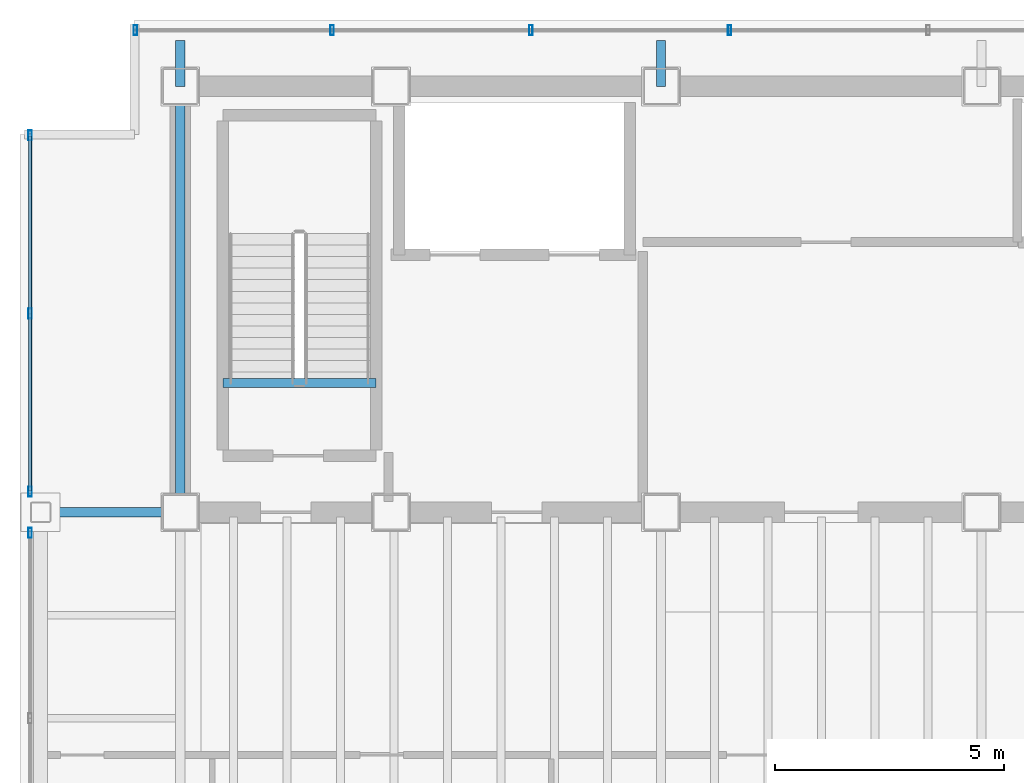
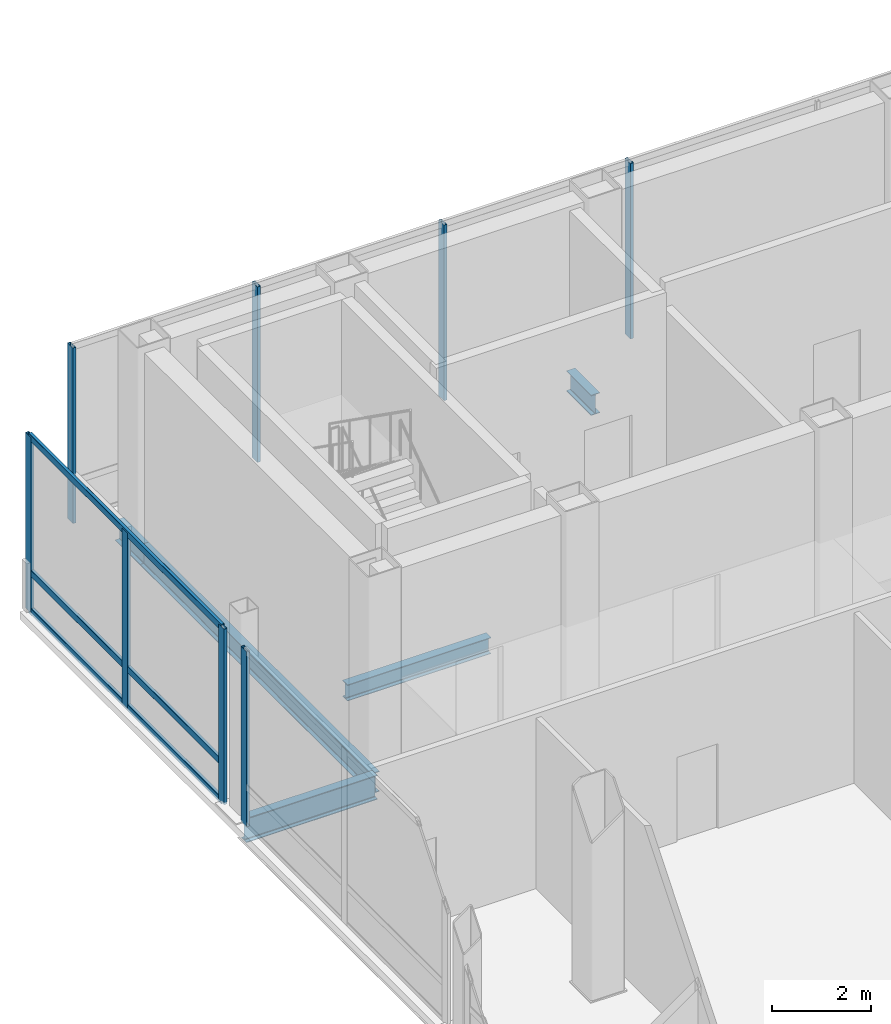
# One storey, part 6 of 15: 11 members, 5 beams, 3 elements without a shape of their own.
"""IFC4 building model written with IfcOpenShell, lengths in metres."""

from ifc_helpers import new_model, si_unit, direction, frame, origin, origin_2d, place, context, subcontext, project, spatial, hollow_rectangle, i_section, extrude, material, material_profile, profile_set, type_object, element, aggregate, save


model = new_model("IFC4")

# Units and contexts
model_context = context("Model", 3, precision=1e-05, world=origin(), true_north=direction((0.0, 1.0)))
body_context = subcontext(model_context, "Body", "Model", "MODEL_VIEW")
ifc_project = project(units=[si_unit("LENGTHUNIT", "METRE"), si_unit("AREAUNIT", "SQUARE_METRE"), si_unit("VOLUMEUNIT", "CUBIC_METRE"), si_unit("PLANEANGLEUNIT", "RADIAN"), si_unit("MASSUNIT", "GRAM", prefix="KILO")], contexts=[model_context])

# Site, building, storey
site_placement = place(None, origin())
site = spatial("IfcSite", under=ifc_project, at=site_placement, CompositionType="ELEMENT")
building_placement = place(site_placement, origin())
building = spatial("IfcBuilding", under=site, at=building_placement, Name="Noeulbin Bourse Tower", CompositionType="ELEMENT")
storey_placement = place(building_placement, frame((0.0, 0.0, 206.10009765625)))
storey = spatial("IfcBuildingStorey", under=building, at=storey_placement, Name="L51", CompositionType="ELEMENT", Elevation=206.10009765625)

# Beams
ifc_material_1 = material(Name="Steel S355", Category="steel")
ifc_material_profile_1 = material_profile(ifc_material_1, i_section(OverallWidth=0.199951171875, OverallDepth=0.5, WebThickness=0.010009765625, FlangeThickness=0.01611328125, FilletRadius=0.02001953125, at=origin_2d()), Name="H-500x200x10x16", Category="LoadBearing")
ifc_profile_set_1 = profile_set([ifc_material_profile_1], Name="Steel S355")
beam_type_1 = type_object("IfcBeamType", Name="BM-GRD-500", PredefinedType="USERDEFINED", material=ifc_profile_set_1)
beam_1_placement = place(storey_placement, frame((13.5, 29.0, -0.43017578125), z_axis=(0.0, 1.0, 0.0), x_axis=(-1.0, 0.0, 0.0)))
element("IfcBeam", 1, at=beam_1_placement, inside=storey, type_object=beam_type_1, Name="Tower Primary Girder NS L51-1.3", ObjectType="GIRDER", PredefinedType="USERDEFINED", context=body_context, shape_type="SweptSolid", body=[
    extrude(i_section(OverallWidth=0.199951171875, OverallDepth=0.5, WebThickness=0.010009765625, FlangeThickness=0.01611328125, FilletRadius=0.02001953125, at=origin_2d()), origin(), (0.0, 0.0, 1.0), 9.300048828125),
])
for number, where, z_axis, x_axis, name in (
    (2, (13.5, 38.300048828125, -0.43017578125), (0.0, 1.0, 0.0), (-1.0, 0.0, 0.0), "Tower Primary Girder NS L51-1.4"),
    (3, (24.0, 38.300048828125, -0.43017578125), (0.0, 1.0, 0.0), (-1.0, 0.0, 0.0), "Tower Primary Girder NS L51-2.4"),
):
    element("IfcBeam", number, at=place(storey_placement, frame(where, z_axis=z_axis, x_axis=x_axis)), inside=storey, type_object=beam_type_1, Name=name, ObjectType="GIRDER", PredefinedType="USERDEFINED", context=body_context, shape_type="SweptSolid", body=[
        extrude(i_section(OverallWidth=0.199951171875, OverallDepth=0.5, WebThickness=0.010009765625, FlangeThickness=0.01611328125, FilletRadius=0.02001953125, at=origin_2d()), origin(), (0.0, 0.0, 1.0), 1.0),
    ])
ifc_material_profile_2 = material_profile(ifc_material_1, i_section(OverallWidth=0.199951171875, OverallDepth=0.60009765625, WebThickness=0.010986328125, FlangeThickness=0.01708984375, FilletRadius=0.02197265625, at=origin_2d()), Name="H-600x200x11x17", Category="LoadBearing")
ifc_profile_set_2 = profile_set([ifc_material_profile_2], Name="Steel S355")
beam_type_2 = type_object("IfcBeamType", Name="BM-GRD-600", PredefinedType="USERDEFINED", material=ifc_profile_set_2)
beam_2_placement = place(storey_placement, frame((10.449951171875, 29.0, -0.47998046875), z_axis=(1.0, 0.0, 0.0), x_axis=(0.0, 1.0, 0.0)))
element("IfcBeam", 4, at=beam_2_placement, inside=storey, type_object=beam_type_2, Name="Tower Primary Girder EW L51-2.1", ObjectType="GIRDER", PredefinedType="USERDEFINED", context=body_context, shape_type="SweptSolid", body=[
    extrude(i_section(OverallWidth=0.199951171875, OverallDepth=0.60009765625, WebThickness=0.010986328125, FlangeThickness=0.01708984375, FilletRadius=0.02197265625, at=origin_2d()), origin(), (0.0, 0.0, 1.0), 3.050048828125),
])
ifc_material_profile_3 = material_profile(ifc_material_1, i_section(OverallWidth=0.199951171875, OverallDepth=0.39990234375, WebThickness=0.008056640625, FlangeThickness=0.012939453125, FilletRadius=0.01611328125, at=origin_2d()), Name="H-400x200x8x13", Category="LoadBearing")
ifc_profile_set_3 = profile_set([ifc_material_profile_3], Name="Steel S355")
beam_type_3 = type_object("IfcBeamType", Name="BM-SEC-400", PredefinedType="BEAM", material=ifc_profile_set_3)
beam_3_placement = place(storey_placement, frame((14.429931640625, 31.820068359375, -0.2001953125), z_axis=(1.0, 0.0, 0.0), x_axis=(0.0, 1.0, 0.0)))
element("IfcBeam", 5, at=beam_3_placement, inside=storey, type_object=beam_type_3, Name="Stair Threshold Trimmer Beam ST1-L51", PredefinedType="BEAM", context=body_context, shape_type="SweptSolid", body=[
    extrude(i_section(OverallWidth=0.199951171875, OverallDepth=0.39990234375, WebThickness=0.008056640625, FlangeThickness=0.012939453125, FilletRadius=0.01611328125, at=origin_2d()), origin(), (0.0, 0.0, 1.0), 3.340087890625),
])

# Curtain wall, members
ifc_material_2 = material(Name="High-Selectivity Low-Iron Glazing", Category="glass")
curtain_wall_type = type_object("IfcCurtainWallType", Name="CW-SYS-4", PredefinedType="NOTDEFINED", material=ifc_material_2)
curtain_wall_1_placement = place(storey_placement, origin())
curtain_wall_1 = element("IfcCurtainWall", 6, at=curtain_wall_1_placement, inside=storey, type_object=curtain_wall_type, Name="Unitised Curtain Wall CW-L51-N", PredefinedType="NOTDEFINED")
ifc_material_3 = material(Name="Anodised Aluminium 6063-T6", Category="aluminium")
ifc_material_profile_4 = material_profile(ifc_material_3, hollow_rectangle(XDim=0.074951171875, YDim=0.219970703125, WallThickness=0.0048828125, InnerFilletRadius=0.00244140625, OuterFilletRadius=0.0048828125, at=origin_2d()), Name="ALU-MULL-75x220x5", Category="LoadBearing")
ifc_profile_set_4 = profile_set([ifc_material_profile_4], Name="Anodised Aluminium 6063-T6")
member_type_1 = type_object("IfcMemberType", Name="CW-SYS-4-MUL", PredefinedType="MULLION", material=ifc_profile_set_4)
member_1_placement = place(storey_placement, frame((12.52001953125, 39.530029296875, -0.02001953125), z_axis=(0.0, 0.0, 1.0), x_axis=(1.0, 0.0, 0.0)))
member_1 = element("IfcMember", 7, at=member_1_placement, type_object=member_type_1, Name="Curtain Wall Mullion CW-L51-N-M00", PredefinedType="MULLION", context=body_context, shape_type="SweptSolid", body=[
    extrude(hollow_rectangle(XDim=0.074951171875, YDim=0.219970703125, WallThickness=0.0048828125, InnerFilletRadius=0.00244140625, OuterFilletRadius=0.0048828125, at=origin_2d()), origin(), (0.0, 0.0, 1.0), 4.31982421875),
])
member_2_placement = place(storey_placement, frame((16.81787109375, 39.530029296875, -0.02001953125), z_axis=(0.0, 0.0, 1.0), x_axis=(1.0, 0.0, 0.0)))
member_2 = element("IfcMember", 8, at=member_2_placement, type_object=member_type_1, Name="Curtain Wall Mullion CW-L51-N-M01", PredefinedType="MULLION", context=body_context, shape_type="SweptSolid", body=[
    extrude(hollow_rectangle(XDim=0.074951171875, YDim=0.219970703125, WallThickness=0.0048828125, InnerFilletRadius=0.00244140625, OuterFilletRadius=0.0048828125, at=origin_2d()), origin(), (0.0, 0.0, 1.0), 4.31982421875),
])
member_3_placement = place(storey_placement, frame((21.155517578125, 39.530029296875, -0.02001953125), z_axis=(0.0, 0.0, 1.0), x_axis=(1.0, 0.0, 0.0)))
member_3 = element("IfcMember", 9, at=member_3_placement, type_object=member_type_1, Name="Curtain Wall Mullion CW-L51-N-M02", PredefinedType="MULLION", context=body_context, shape_type="SweptSolid", body=[
    extrude(hollow_rectangle(XDim=0.074951171875, YDim=0.219970703125, WallThickness=0.0048828125, InnerFilletRadius=0.00244140625, OuterFilletRadius=0.0048828125, at=origin_2d()), origin(), (0.0, 0.0, 1.0), 4.31982421875),
])
member_4_placement = place(storey_placement, frame((25.493408203125, 39.530029296875, -0.02001953125), z_axis=(0.0, 0.0, 1.0), x_axis=(1.0, 0.0, 0.0)))
member_4 = element("IfcMember", 10, at=member_4_placement, type_object=member_type_1, Name="Curtain Wall Mullion CW-L51-N-M03", PredefinedType="MULLION", context=body_context, shape_type="SweptSolid", body=[
    extrude(hollow_rectangle(XDim=0.074951171875, YDim=0.219970703125, WallThickness=0.0048828125, InnerFilletRadius=0.00244140625, OuterFilletRadius=0.0048828125, at=origin_2d()), origin(), (0.0, 0.0, 1.0), 4.31982421875),
])
aggregate(curtain_wall_1, [member_1, member_2, member_3, member_4])

# Curtain wall, member
curtain_wall_2_placement = place(storey_placement, origin())
curtain_wall_2 = element("IfcCurtainWall", 11, at=curtain_wall_2_placement, inside=storey, type_object=curtain_wall_type, Name="Unitised Curtain Wall CW-L51-W-S2", PredefinedType="NOTDEFINED")
member_5_placement = place(storey_placement, frame((10.219970703125, 28.550048828125, -0.02001953125), z_axis=(0.0, 0.0, 1.0), x_axis=(1.0, 0.0, 0.0)))
member_5 = element("IfcMember", 12, at=member_5_placement, type_object=member_type_1, Name="Curtain Wall Mullion CW-L51-W-S2-M02", PredefinedType="MULLION", context=body_context, shape_type="SweptSolid", body=[
    extrude(hollow_rectangle(XDim=0.074951171875, YDim=0.219970703125, WallThickness=0.0048828125, InnerFilletRadius=0.00244140625, OuterFilletRadius=0.0048828125, at=origin_2d()), origin(), (0.0, 0.0, 1.0), 4.31982421875),
])
aggregate(curtain_wall_2, [member_5])

# Curtain wall, members
curtain_wall_3_placement = place(storey_placement, origin())
curtain_wall_3 = element("IfcCurtainWall", 13, at=curtain_wall_3_placement, inside=storey, type_object=curtain_wall_type, Name="Unitised Curtain Wall CW-L51-W-S3", PredefinedType="NOTDEFINED")
member_6_placement = place(storey_placement, frame((10.219970703125, 29.449951171875, -0.02001953125), z_axis=(0.0, 0.0, 1.0), x_axis=(1.0, 0.0, 0.0)))
member_6 = element("IfcMember", 14, at=member_6_placement, type_object=member_type_1, Name="Curtain Wall Mullion CW-L51-W-S3-M00", PredefinedType="MULLION", context=body_context, shape_type="SweptSolid", body=[
    extrude(hollow_rectangle(XDim=0.074951171875, YDim=0.219970703125, WallThickness=0.0048828125, InnerFilletRadius=0.00244140625, OuterFilletRadius=0.0048828125, at=origin_2d()), origin(), (0.0, 0.0, 1.0), 4.31982421875),
])
member_7_placement = place(storey_placement, frame((10.219970703125, 33.340087890625, -0.02001953125), z_axis=(0.0, 0.0, 1.0), x_axis=(1.0, 0.0, 0.0)))
member_7 = element("IfcMember", 15, at=member_7_placement, type_object=member_type_1, Name="Curtain Wall Mullion CW-L51-W-S3-M01", PredefinedType="MULLION", context=body_context, shape_type="SweptSolid", body=[
    extrude(hollow_rectangle(XDim=0.074951171875, YDim=0.219970703125, WallThickness=0.0048828125, InnerFilletRadius=0.00244140625, OuterFilletRadius=0.0048828125, at=origin_2d()), origin(), (0.0, 0.0, 1.0), 4.31982421875),
])
member_8_placement = place(storey_placement, frame((10.219970703125, 37.22998046875, -0.02001953125), z_axis=(0.0, 0.0, 1.0), x_axis=(1.0, 0.0, 0.0)))
member_8 = element("IfcMember", 16, at=member_8_placement, type_object=member_type_1, Name="Curtain Wall Mullion CW-L51-W-S3-M02", PredefinedType="MULLION", context=body_context, shape_type="SweptSolid", body=[
    extrude(hollow_rectangle(XDim=0.074951171875, YDim=0.219970703125, WallThickness=0.0048828125, InnerFilletRadius=0.00244140625, OuterFilletRadius=0.0048828125, at=origin_2d()), origin(), (0.0, 0.0, 1.0), 4.31982421875),
])
ifc_material_profile_5 = material_profile(ifc_material_3, hollow_rectangle(XDim=0.074951171875, YDim=0.159912109375, WallThickness=0.0048828125, InnerFilletRadius=0.00244140625, OuterFilletRadius=0.0048828125, at=origin_2d()), Name="ALU-TRAN-75x160x5", Category="LoadBearing")
ifc_profile_set_5 = profile_set([ifc_material_profile_5], Name="Anodised Aluminium 6063-T6")
member_type_2 = type_object("IfcMemberType", Name="CW-SYS-4-TRN", PredefinedType="USERDEFINED", material=ifc_profile_set_5)
member_9_placement = place(storey_placement, frame((10.219970703125, 29.4599609375, 0.010009765625), z_axis=(0.0, 1.0, 0.0), x_axis=(-1.0, 0.0, 0.0)))
member_9 = element("IfcMember", 17, at=member_9_placement, type_object=member_type_2, Name="Curtain Wall Transom CW-L51-W-S3-T00", ObjectType="TRANSOM", PredefinedType="USERDEFINED", context=body_context, shape_type="SweptSolid", body=[
    extrude(hollow_rectangle(XDim=0.074951171875, YDim=0.159912109375, WallThickness=0.0048828125, InnerFilletRadius=0.00244140625, OuterFilletRadius=0.0048828125, at=origin_2d()), origin(), (0.0, 0.0, 1.0), 7.760009765625),
])
member_10_placement = place(storey_placement, frame((10.219970703125, 29.4599609375, 0.949951171875), z_axis=(0.0, 1.0, 0.0), x_axis=(-1.0, 0.0, 0.0)))
member_10 = element("IfcMember", 18, at=member_10_placement, type_object=member_type_2, Name="Curtain Wall Transom CW-L51-W-S3-T01", ObjectType="TRANSOM", PredefinedType="USERDEFINED", context=body_context, shape_type="SweptSolid", body=[
    extrude(hollow_rectangle(XDim=0.074951171875, YDim=0.159912109375, WallThickness=0.0048828125, InnerFilletRadius=0.00244140625, OuterFilletRadius=0.0048828125, at=origin_2d()), origin(), (0.0, 0.0, 1.0), 7.760009765625),
])
member_11_placement = place(storey_placement, frame((10.219970703125, 29.4599609375, 4.27001953125), z_axis=(0.0, 1.0, 0.0), x_axis=(-1.0, 0.0, 0.0)))
member_11 = element("IfcMember", 19, at=member_11_placement, type_object=member_type_2, Name="Curtain Wall Transom CW-L51-W-S3-T02", ObjectType="TRANSOM", PredefinedType="USERDEFINED", context=body_context, shape_type="SweptSolid", body=[
    extrude(hollow_rectangle(XDim=0.074951171875, YDim=0.159912109375, WallThickness=0.0048828125, InnerFilletRadius=0.00244140625, OuterFilletRadius=0.0048828125, at=origin_2d()), origin(), (0.0, 0.0, 1.0), 7.760009765625),
])
aggregate(curtain_wall_3, [member_6, member_7, member_8, member_9, member_10, member_11])

save(model, "model.ifc")
